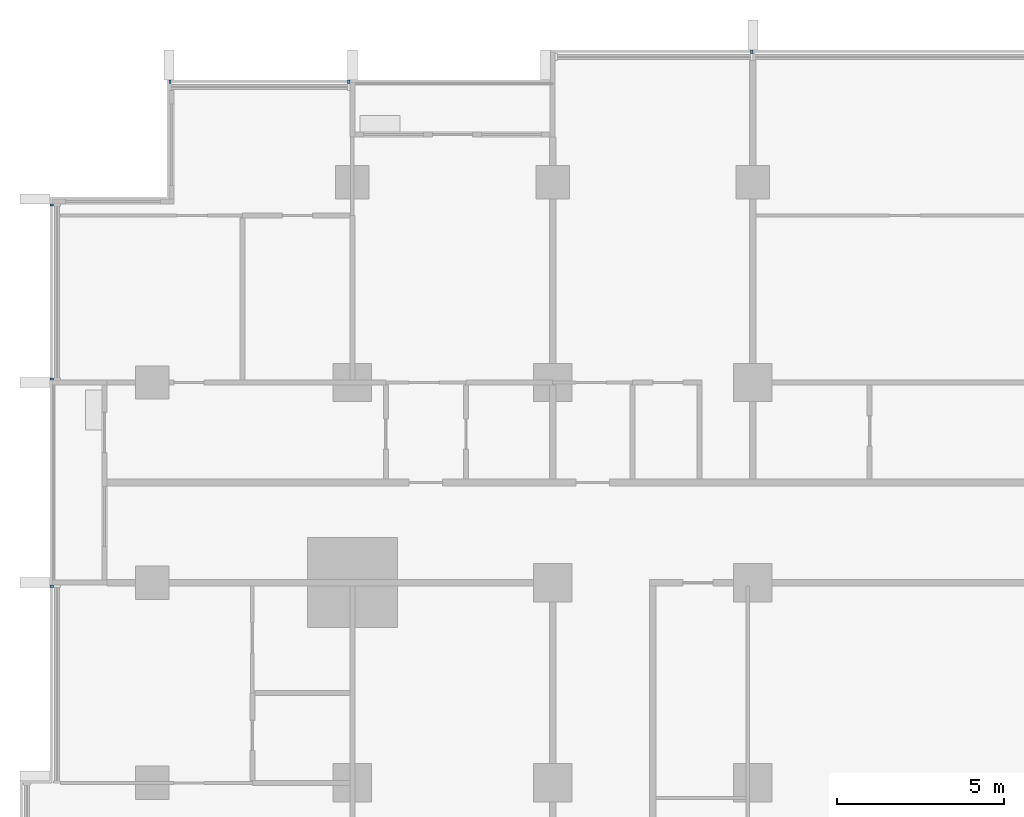
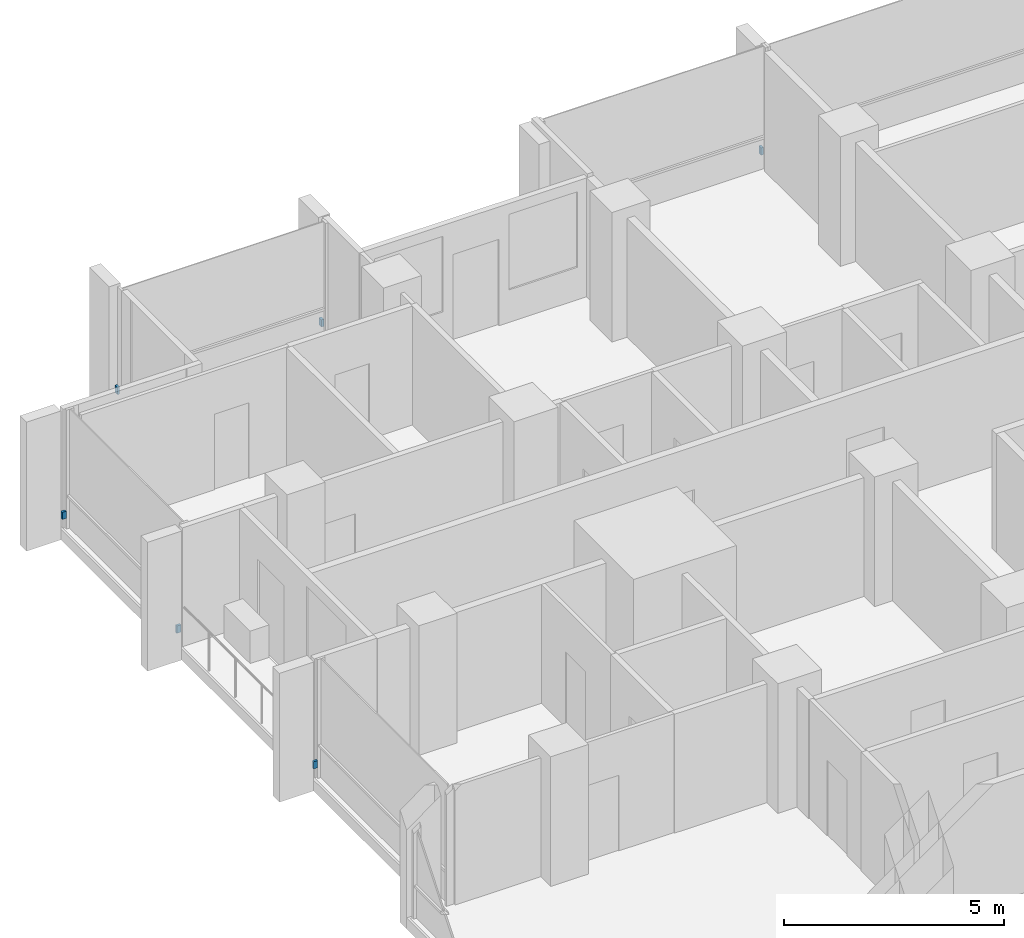
# One storey, part 16 of 18: 6 discrete accessories.
"""IFC4 building model written with IfcOpenShell, lengths in metres."""

from ifc_helpers import new_model, si_unit, direction, frame, origin, origin_2d, place, context, subcontext, project, spatial, rectangle, extrude, material, type_object, element, save


model = new_model("IFC4")

# Units and contexts
model_context = context("Model", 3, precision=1e-05, world=origin(), true_north=direction((0.0, 1.0)))
body_context = subcontext(model_context, "Body", "Model", "MODEL_VIEW")
ifc_project = project(units=[si_unit("LENGTHUNIT", "METRE"), si_unit("AREAUNIT", "SQUARE_METRE"), si_unit("VOLUMEUNIT", "CUBIC_METRE"), si_unit("PLANEANGLEUNIT", "RADIAN"), si_unit("MASSUNIT", "GRAM", prefix="KILO")], contexts=[model_context])

# Site, building, storey
site_placement = place(None, origin())
site = spatial("IfcSite", under=ifc_project, at=site_placement, CompositionType="ELEMENT")
building_placement = place(site_placement, origin())
building = spatial("IfcBuilding", under=site, at=building_placement, Name="Finial Court Residences", CompositionType="ELEMENT")
storey_placement = place(building_placement, frame((0.0, 0.0, 106.300048828125)))
storey = spatial("IfcBuildingStorey", under=building, at=storey_placement, Name="L26", CompositionType="ELEMENT", Elevation=106.300048828125)

# Discrete accessories
ifc_material = material(Name="Stainless steel 316", Category="steel")
discrete_accessory_type = type_object("IfcDiscreteAccessoryType", Name="Fin bracket, stainless steel 65 x 110 x 200", PredefinedType="BRACKET", material=ifc_material)
for number, where, z_axis, x_axis, name in (
    (1, (-21.967529296875, 22.5048828125, 0.2998046875), (0.0, 0.0, 1.0), (1.0, 0.0, 0.0), "E-L26-FIN-N1-BRK"),
    (2, (-16.607421875, 22.5048828125, 0.2998046875), (0.0, 0.0, 1.0), (1.0, 0.0, 0.0), "E-L26-FIN-N2-BRK"),
    (3, (-4.532470703125, 23.405029296875, 0.2998046875), (0.0, 0.0, 1.0), (1.0, 0.0, 0.0), "E-L26-FIN-N4-BRK"),
):
    element("IfcDiscreteAccessory", number, at=place(storey_placement, frame(where, z_axis=z_axis, x_axis=x_axis)), inside=storey, type_object=discrete_accessory_type, Name=name, PredefinedType="BRACKET", context=body_context, shape_type="SweptSolid", body=[
        extrude(rectangle(XDim=0.06494140625, YDim=0.110107421875, at=origin_2d()), origin(), (0.0, 0.0, 1.0), 0.199951171875),
    ])
for number, where, z_axis, x_axis, name in (
    (4, (-25.5048828125, 7.392578125, 0.2998046875), (0.0, 0.0, 1.0), (1.0, 0.0, 0.0), "E-L26-FIN-W30-BRK"),
    (5, (-25.5048828125, 13.607421875, 0.2998046875), (0.0, 0.0, 1.0), (1.0, 0.0, 0.0), "E-L26-FIN-W31-BRK"),
    (6, (-25.5048828125, 18.8173828125, 0.2998046875), (0.0, 0.0, 1.0), (1.0, 0.0, 0.0), "E-L26-FIN-W32-BRK"),
):
    element("IfcDiscreteAccessory", number, at=place(storey_placement, frame(where, z_axis=z_axis, x_axis=x_axis)), inside=storey, type_object=discrete_accessory_type, Name=name, PredefinedType="BRACKET", context=body_context, shape_type="SweptSolid", body=[
        extrude(rectangle(XDim=0.110107421875, YDim=0.06494140625, at=origin_2d()), origin(), (0.0, 0.0, 1.0), 0.199951171875),
    ])

save(model, "model.ifc")
